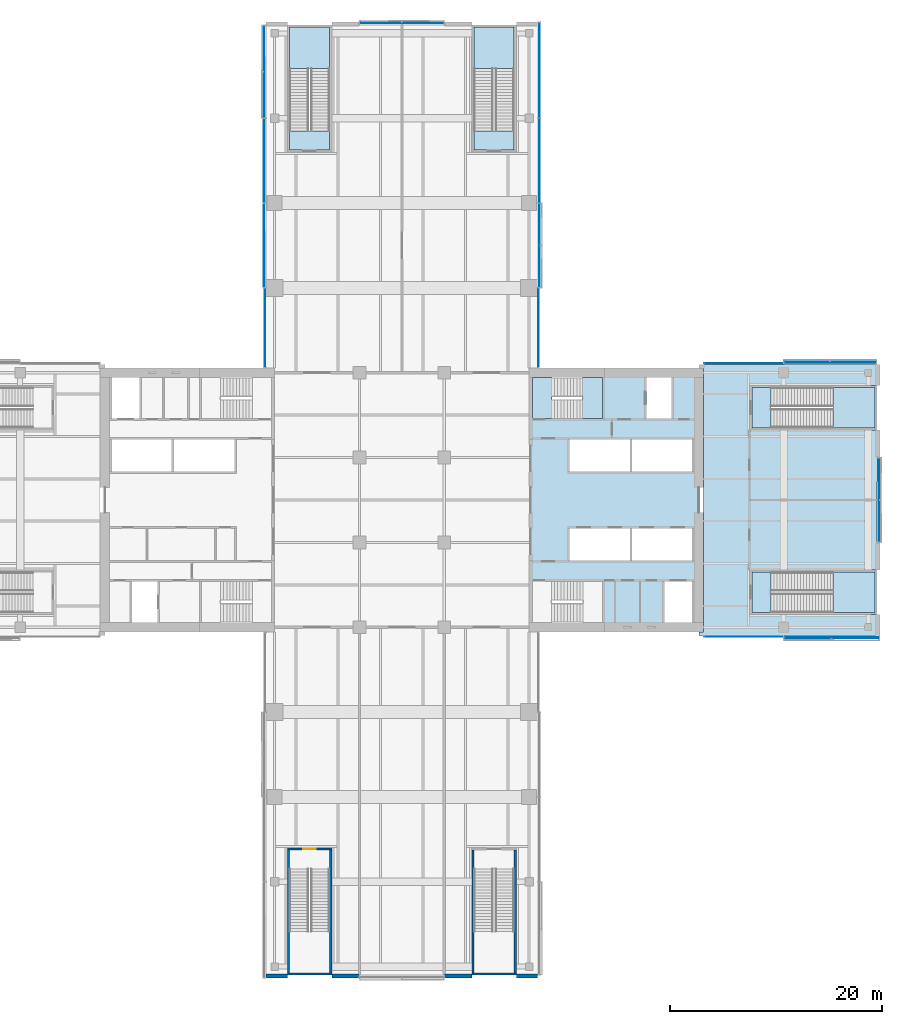
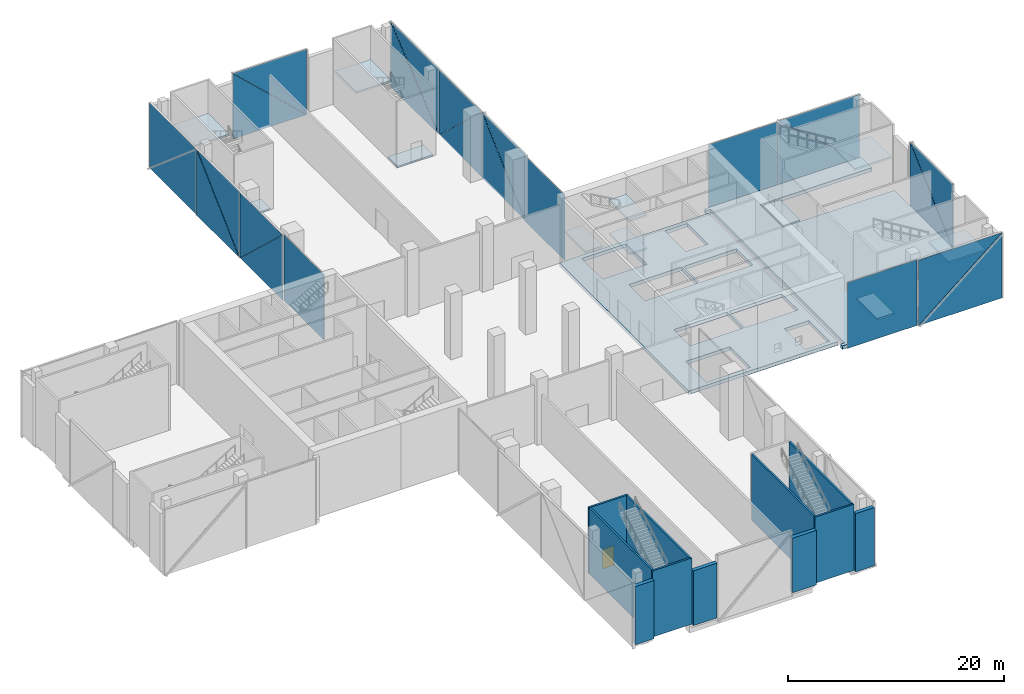
# One storey, part 13 of 25: 24 plates, 13 slabs, 11 walls, 1 door, 1 opening, 15 elements without a shape of their own.
"""IFC4 building model written with IfcOpenShell, lengths in metres."""

from ifc_helpers import new_model, si_unit, direction, frame, frame_2d, origin, place, context, subcontext, project, spatial, polyline, rectangle, outline, extrude, material, layer, layer_set, type_object, element, fill, aggregate, save


model = new_model("IFC4")

# Units and contexts
model_context = context("Model", 3, precision=1e-05, world=origin(), true_north=direction((0.0, 1.0)))
body_context = subcontext(model_context, "Body", "Model", "MODEL_VIEW")
ifc_project = project(units=[si_unit("LENGTHUNIT", "METRE"), si_unit("AREAUNIT", "SQUARE_METRE"), si_unit("VOLUMEUNIT", "CUBIC_METRE"), si_unit("PLANEANGLEUNIT", "RADIAN"), si_unit("MASSUNIT", "GRAM", prefix="KILO")], contexts=[model_context])

# Site, building, storey
site_placement = place(None, origin())
site = spatial("IfcSite", under=ifc_project, at=site_placement, CompositionType="ELEMENT")
building_placement = place(site_placement, origin())
building = spatial("IfcBuilding", under=site, at=building_placement, Name="Crosswind Convention Tower", CompositionType="ELEMENT")
storey_placement = place(building_placement, frame((0.0, 0.0, 17.5)))
storey = spatial("IfcBuildingStorey", under=building, at=storey_placement, Name="L02", CompositionType="ELEMENT", Elevation=17.5)

# Slabs
ifc_material_1 = material(Name="Concrete C40/50", Category="concrete")
ifc_layer_1 = layer(ifc_material_1, 0.39990234375)
ifc_layer_set_1 = layer_set([ifc_layer_1], Name="Concrete C40/50")
slab_type_1 = type_object("IfcSlabType", Name="Composite floor slab 400", PredefinedType="FLOOR", material=ifc_layer_set_1)
slab_1_placement = place(storey_placement, frame((0.0, 0.0, -0.39990234375)))
element("IfcSlab", 1, at=slab_1_placement, inside=storey, type_object=slab_type_1, Name="Floor slab L02 part 3", PredefinedType="FLOOR", context=body_context, shape_type="SweptSolid", body=[
    extrude(outline(polyline([(169.800048828125, 93.39990234375), (157.800048828125, 93.39990234375), (157.800048828125, 89.199951171875), (169.800048828125, 89.199951171875), (169.800048828125, 88.0), (169.800048828125, 87.199951171875), (169.0, 87.199951171875), (153.0, 87.199951171875), (153.0, 87.550048828125), (153.449951171875, 87.550048828125), (153.449951171875, 112.449951171875), (153.0, 112.449951171875), (153.0, 112.800048828125), (169.0, 112.800048828125), (169.800048828125, 112.800048828125), (169.800048828125, 112.0), (169.800048828125, 110.800048828125), (157.800048828125, 110.800048828125), (157.800048828125, 106.60009765625), (169.800048828125, 106.60009765625), (169.800048828125, 93.39990234375)])), origin(), (0.0, 0.0, 1.0), 0.39990234375),
])
ifc_layer_2 = layer(ifc_material_1, 0.39990234375)
ifc_layer_set_2 = layer_set([ifc_layer_2], Name="Concrete C40/50")
slab_type_2 = type_object("IfcSlabType", Name="Concrete core floor slab 400", PredefinedType="FLOOR", material=ifc_layer_set_2)
slab_2_placement = place(storey_placement, frame((0.0, 0.0, -0.39990234375)))
element("IfcSlab", 2, at=slab_2_placement, inside=storey, type_object=slab_type_2, Name="Core floor slab E L02", PredefinedType="FLOOR", context=body_context, shape_type="SweptSolid", body=[
    extrude(outline(polyline([(137.0, 88.0), (153.0, 88.0), (153.0, 112.0), (137.0, 112.0), (137.0, 88.0)]), holes=[polyline([(146.5, 102.699951171875), (146.5, 105.699951171875), (140.800048828125, 105.699951171875), (140.800048828125, 102.699951171875), (146.5, 102.699951171875)]), polyline([(152.35009765625, 102.699951171875), (152.35009765625, 105.699951171875), (146.699951171875, 105.699951171875), (146.699951171875, 102.699951171875), (152.35009765625, 102.699951171875)]), polyline([(146.5, 94.300048828125), (146.5, 97.300048828125), (140.800048828125, 97.300048828125), (140.800048828125, 94.300048828125), (146.5, 94.300048828125)]), polyline([(152.35009765625, 94.300048828125), (152.35009765625, 97.300048828125), (146.699951171875, 97.300048828125), (146.699951171875, 94.300048828125), (152.35009765625, 94.300048828125)]), polyline([(150.449951171875, 107.699951171875), (150.449951171875, 111.550048828125), (148.050048828125, 111.550048828125), (148.050048828125, 107.699951171875), (150.449951171875, 107.699951171875)]), polyline([(152.35009765625, 88.449951171875), (152.35009765625, 92.300048828125), (149.75, 92.300048828125), (149.75, 88.449951171875), (152.35009765625, 88.449951171875)]), polyline([(143.89990234375, 107.699951171875), (143.89990234375, 111.550048828125), (139.14990234375, 111.550048828125), (139.14990234375, 107.699951171875), (143.89990234375, 107.699951171875)]), polyline([(143.89990234375, 88.449951171875), (143.89990234375, 92.300048828125), (139.14990234375, 92.300048828125), (139.14990234375, 88.449951171875), (143.89990234375, 88.449951171875)])]), origin(), (0.0, 0.0, 1.0), 0.39990234375),
])

# Stair, slabs
stair_type_1 = type_object("IfcStairType", Name="PODIUM EXIT STAIR 7500 RISE", PredefinedType="HALF_TURN_STAIR", material=ifc_material_1)
stair_1_placement = place(storey_placement, origin())
stair_1 = element("IfcStair", 3, at=stair_1_placement, inside=storey, type_object=stair_type_1, Name="Exit stair E1 L02", ObjectType="ST11", PredefinedType="HALF_TURN_STAIR")
ifc_layer_3 = layer(ifc_material_1, 0.199951171875)
ifc_layer_set_3 = layer_set([ifc_layer_3], Name="Concrete C40/50")
slab_type_3 = type_object("IfcSlabType", Name="PODIUM STAIR LANDING 200 FOR 22 RISERS", PredefinedType="LANDING", material=ifc_layer_set_3)
slab_3_placement = place(storey_placement, frame((0.0, 0.0, 3.550048828125)))
slab_3 = element("IfcSlab", 4, at=slab_3_placement, type_object=slab_type_3, Name="ST11 landing 1", PredefinedType="LANDING", context=body_context, shape_type="SweptSolid", body=[
    extrude(outline(polyline([(165.679931640625, 89.39990234375), (169.60009765625, 89.39990234375), (169.60009765625, 93.199951171875), (165.679931640625, 93.199951171875), (165.679931640625, 89.39990234375)])), origin(), (0.0, 0.0, 1.0), 0.199951171875),
])
slab_4_placement = place(storey_placement, frame((0.0, 0.0, -0.199951171875)))
slab_4 = element("IfcSlab", 5, at=slab_4_placement, type_object=slab_type_3, Name="ST11 landing 2", PredefinedType="LANDING", context=body_context, shape_type="SweptSolid", body=[
    extrude(outline(polyline([(158.0, 89.39990234375), (159.800048828125, 89.39990234375), (159.800048828125, 93.199951171875), (158.0, 93.199951171875), (158.0, 89.39990234375)])), origin(), (0.0, 0.0, 1.0), 0.199951171875),
])
aggregate(stair_1, [slab_3, slab_4])

stair_2_placement = place(storey_placement, origin())
stair_2 = element("IfcStair", 6, at=stair_2_placement, inside=storey, type_object=stair_type_1, Name="Exit stair E2 L02", ObjectType="ST11", PredefinedType="HALF_TURN_STAIR")
slab_5_placement = place(storey_placement, frame((0.0, 0.0, 3.550048828125)))
slab_5 = element("IfcSlab", 7, at=slab_5_placement, type_object=slab_type_3, Name="ST11 landing 1", PredefinedType="LANDING", context=body_context, shape_type="SweptSolid", body=[
    extrude(outline(polyline([(165.679931640625, 106.800048828125), (169.60009765625, 106.800048828125), (169.60009765625, 110.60009765625), (165.679931640625, 110.60009765625), (165.679931640625, 106.800048828125)])), origin(), (0.0, 0.0, 1.0), 0.199951171875),
])
slab_6_placement = place(storey_placement, frame((0.0, 0.0, -0.199951171875)))
slab_6 = element("IfcSlab", 8, at=slab_6_placement, type_object=slab_type_3, Name="ST11 landing 2", PredefinedType="LANDING", context=body_context, shape_type="SweptSolid", body=[
    extrude(outline(polyline([(158.0, 106.800048828125), (159.800048828125, 106.800048828125), (159.800048828125, 110.60009765625), (158.0, 110.60009765625), (158.0, 106.800048828125)])), origin(), (0.0, 0.0, 1.0), 0.199951171875),
])
aggregate(stair_2, [slab_5, slab_6])

stair_3_placement = place(storey_placement, origin())
stair_3 = element("IfcStair", 9, at=stair_3_placement, inside=storey, type_object=stair_type_1, Name="Exit stair N1 L02", ObjectType="ST11", PredefinedType="HALF_TURN_STAIR")
slab_7_placement = place(storey_placement, frame((0.0, 0.0, 3.550048828125)))
slab_7 = element("IfcSlab", 10, at=slab_7_placement, type_object=slab_type_3, Name="ST11 landing 1", PredefinedType="LANDING", context=body_context, shape_type="SweptSolid", body=[
    extrude(outline(polyline([(118.199951171875, 140.679931640625), (118.199951171875, 144.60009765625), (114.39990234375, 144.60009765625), (114.39990234375, 140.679931640625), (118.199951171875, 140.679931640625)])), origin(), (0.0, 0.0, 1.0), 0.199951171875),
])
slab_8_placement = place(storey_placement, frame((0.0, 0.0, -0.199951171875)))
slab_8 = element("IfcSlab", 11, at=slab_8_placement, type_object=slab_type_3, Name="ST11 landing 2", PredefinedType="LANDING", context=body_context, shape_type="SweptSolid", body=[
    extrude(outline(polyline([(118.199951171875, 133.0), (118.199951171875, 134.800048828125), (114.39990234375, 134.800048828125), (114.39990234375, 133.0), (118.199951171875, 133.0)])), origin(), (0.0, 0.0, 1.0), 0.199951171875),
])
aggregate(stair_3, [slab_7, slab_8])

stair_4_placement = place(storey_placement, origin())
stair_4 = element("IfcStair", 12, at=stair_4_placement, inside=storey, type_object=stair_type_1, Name="Exit stair N2 L02", ObjectType="ST11", PredefinedType="HALF_TURN_STAIR")
slab_9_placement = place(storey_placement, frame((0.0, 0.0, 3.550048828125)))
slab_9 = element("IfcSlab", 13, at=slab_9_placement, type_object=slab_type_3, Name="ST11 landing 1", PredefinedType="LANDING", context=body_context, shape_type="SweptSolid", body=[
    extrude(outline(polyline([(135.60009765625, 140.679931640625), (135.60009765625, 144.60009765625), (131.800048828125, 144.60009765625), (131.800048828125, 140.679931640625), (135.60009765625, 140.679931640625)])), origin(), (0.0, 0.0, 1.0), 0.199951171875),
])
slab_10_placement = place(storey_placement, frame((0.0, 0.0, -0.199951171875)))
slab_10 = element("IfcSlab", 14, at=slab_10_placement, type_object=slab_type_3, Name="ST11 landing 2", PredefinedType="LANDING", context=body_context, shape_type="SweptSolid", body=[
    extrude(outline(polyline([(135.60009765625, 133.0), (135.60009765625, 134.800048828125), (131.800048828125, 134.800048828125), (131.800048828125, 133.0), (135.60009765625, 133.0)])), origin(), (0.0, 0.0, 1.0), 0.199951171875),
])
aggregate(stair_4, [slab_9, slab_10])

stair_type_2 = type_object("IfcStairType", Name="Exit stair 1800 wide, 4 flights of 11 risers", PredefinedType="HALF_TURN_STAIR", material=ifc_material_1)
stair_5_placement = place(storey_placement, origin())
stair_5 = element("IfcStair", 15, at=stair_5_placement, inside=storey, type_object=stair_type_2, Name="Exit stair ST1 L02", ObjectType="ST6", PredefinedType="HALF_TURN_STAIR")
ifc_layer_4 = layer(ifc_material_1, 0.199951171875)
ifc_layer_set_4 = layer_set([ifc_layer_4], Name="Concrete C40/50")
slab_type_4 = type_object("IfcSlabType", Name="Stair landing 200", PredefinedType="LANDING", material=ifc_layer_set_4)
slab_11_placement = place(storey_placement, frame((0.0, 0.0, 1.675048828125)))
slab_11 = element("IfcSlab", 16, at=slab_11_placement, type_object=slab_type_4, Name="ST1 landing 1", PredefinedType="LANDING", context=body_context, shape_type="SweptSolid", body=[
    extrude(outline(polyline([(143.89990234375, 107.699951171875), (143.89990234375, 111.550048828125), (142.050048828125, 111.550048828125), (142.050048828125, 107.699951171875), (143.89990234375, 107.699951171875)])), origin(), (0.0, 0.0, 1.0), 0.199951171875),
])
slab_12_placement = place(storey_placement, frame((0.0, 0.0, 3.550048828125)))
slab_12 = element("IfcSlab", 17, at=slab_12_placement, type_object=slab_type_4, Name="ST1 landing 2", PredefinedType="LANDING", context=body_context, shape_type="SweptSolid", body=[
    extrude(outline(polyline([(139.14990234375, 107.699951171875), (139.14990234375, 111.550048828125), (137.300048828125, 111.550048828125), (137.300048828125, 107.699951171875), (139.14990234375, 107.699951171875)])), origin(), (0.0, 0.0, 1.0), 0.199951171875),
])
slab_13_placement = place(storey_placement, frame((0.0, 0.0, 5.425048828125)))
slab_13 = element("IfcSlab", 18, at=slab_13_placement, type_object=slab_type_4, Name="ST1 landing 3", PredefinedType="LANDING", context=body_context, shape_type="SweptSolid", body=[
    extrude(outline(polyline([(143.89990234375, 107.699951171875), (143.89990234375, 111.550048828125), (142.050048828125, 111.550048828125), (142.050048828125, 107.699951171875), (143.89990234375, 107.699951171875)])), origin(), (0.0, 0.0, 1.0), 0.199951171875),
])
aggregate(stair_5, [slab_11, slab_12, slab_13])

# Curtain wall, plate
ifc_material_2 = material(Name="Aluminium unitised curtain wall", Category="aluminium")
curtain_wall_type_1 = type_object("IfcCurtainWallType", Name="CORE END SLOT WALL 160", PredefinedType="USERDEFINED", material=ifc_material_2)
curtain_wall_1_placement = place(storey_placement, origin())
curtain_wall_1 = element("IfcCurtainWall", 19, at=curtain_wall_1_placement, inside=storey, type_object=curtain_wall_type_1, Name="CW6 L02 E-N.1-2 slot", ObjectType="UNITISED", PredefinedType="USERDEFINED")
ifc_material_3 = material(Name="Laminated insulating glass unit", Category="glass")
ifc_layer_5 = layer(ifc_material_3, 0.02587890625)
ifc_layer_set_5 = layer_set([ifc_layer_5], Name="TRIANGULAR GLASS PANEL 26")
plate_type_1 = type_object("IfcPlateType", Name="TRIANGULAR GLASS PANEL 26", PredefinedType="CURTAIN_PANEL", material=ifc_layer_set_5)
plate_1_placement = place(storey_placement, frame((160.949951171875, 112.907470703125, -0.39990234375), z_axis=(0.0, 0.999999922678, 0.000393249191), x_axis=(-1.0, 0.0, 0.0)))
plate_1 = element("IfcPlate", 20, at=plate_1_placement, type_object=plate_type_1, Name="CW6 panel 1.1", PredefinedType="CURTAIN_PANEL", context=body_context, shape_type="SweptSolid", body=[
    extrude(outline(polyline([(0.0, 0.0), (7.449951171875, 0.0), (7.449951171875, 7.449951747923642), (0.0, 7.449951747923642), (0.0, 0.0)])), origin(), (0.0, 0.0, -1.0), 0.02587890625),
])
aggregate(curtain_wall_1, [plate_1])

curtain_wall_2_placement = place(storey_placement, origin())
curtain_wall_2 = element("IfcCurtainWall", 21, at=curtain_wall_2_placement, inside=storey, type_object=curtain_wall_type_1, Name="CW6 L02 N-E.1-1 slot", ObjectType="UNITISED", PredefinedType="USERDEFINED")
plate_2_placement = place(storey_placement, frame((137.907470703125, 112.5, -0.39990234375), z_axis=(0.999999922678, 0.0, 0.000393249191), x_axis=(0.0, 1.0, 0.0)))
plate_2 = element("IfcPlate", 22, at=plate_2_placement, type_object=plate_type_1, Name="CW6 panel 1.1", PredefinedType="CURTAIN_PANEL", context=body_context, shape_type="SweptSolid", body=[
    extrude(outline(polyline([(0.0, 0.0), (7.449951171875, 0.0), (7.449951171875, 7.449951747923642), (0.0, 7.449951747923642), (0.0, 0.0)])), origin(), (0.0, 0.0, -1.0), 0.02587890625),
])
aggregate(curtain_wall_2, [plate_2])

curtain_wall_3_placement = place(storey_placement, origin())
curtain_wall_3 = element("IfcCurtainWall", 23, at=curtain_wall_3_placement, inside=storey, type_object=curtain_wall_type_1, Name="CW6 L02 N-W.1-4 slot", ObjectType="UNITISED", PredefinedType="USERDEFINED")
plate_3_placement = place(storey_placement, frame((112.092529296875, 119.949951171875, -0.39990234375), z_axis=(-0.999999922678, 0.0, 0.000393249191), x_axis=(0.0, -1.0, 0.0)))
plate_3 = element("IfcPlate", 24, at=plate_3_placement, type_object=plate_type_1, Name="CW6 panel 1.1", PredefinedType="CURTAIN_PANEL", context=body_context, shape_type="SweptSolid", body=[
    extrude(outline(polyline([(0.0, 0.0), (7.449951171875, 0.0), (7.449951171875, 7.449951747923642), (0.0, 7.449951747923642), (0.0, 0.0)])), origin(), (0.0, 0.0, -1.0), 0.02587890625),
])
aggregate(curtain_wall_3, [plate_3])

curtain_wall_4_placement = place(storey_placement, origin())
curtain_wall_4 = element("IfcCurtainWall", 25, at=curtain_wall_4_placement, inside=storey, type_object=curtain_wall_type_1, Name="CW6 L02 E-S.2-1 slot", ObjectType="UNITISED", PredefinedType="USERDEFINED")
plate_4_placement = place(storey_placement, frame((153.5, 87.092529296875, -0.39990234375), z_axis=(0.0, -0.999999922678, 0.000393249191), x_axis=(1.0, 0.0, 0.0)))
plate_4 = element("IfcPlate", 26, at=plate_4_placement, type_object=plate_type_1, Name="CW6 panel 1.1", PredefinedType="CURTAIN_PANEL", context=body_context, shape_type="SweptSolid", body=[
    extrude(outline(polyline([(0.0, 0.0), (7.449951171875, 0.0), (7.449951171875, 7.449951747923642), (0.0, 7.449951747923642), (0.0, 0.0)])), origin(), (0.0, 0.0, -1.0), 0.02587890625),
])
aggregate(curtain_wall_4, [plate_4])

# Curtain wall, plates
curtain_wall_type_2 = type_object("IfcCurtainWallType", Name="PODIUM UNITISED WALL 300", PredefinedType="USERDEFINED", material=ifc_material_2)
curtain_wall_5_placement = place(storey_placement, origin())
curtain_wall_5 = element("IfcCurtainWall", 27, at=curtain_wall_5_placement, inside=storey, type_object=curtain_wall_type_2, Name="CW1 L02 E-TIP 1", ObjectType="UNITISED", PredefinedType="USERDEFINED")
ifc_layer_6 = layer(ifc_material_3, 0.035888671875)
ifc_layer_set_6 = layer_set([ifc_layer_6], Name="TRIANGULAR GLASS PANEL 36")
plate_type_2 = type_object("IfcPlateType", Name="TRIANGULAR GLASS PANEL 36", PredefinedType="CURTAIN_PANEL", material=ifc_layer_set_6)
plate_5_placement = place(storey_placement, frame((169.987548828125, 103.9599609375, -0.39990234375), z_axis=(0.999999921762, 0.0, 0.000395569589), x_axis=(-0.000395569589, 0.0, 0.999999921762)))
plate_5 = element("IfcPlate", 28, at=plate_5_placement, type_object=plate_type_2, Name="CW1 panel 1.1", PredefinedType="CURTAIN_PANEL", context=body_context, shape_type="SweptSolid", body=[
    extrude(outline(polyline([(0.0, 0.0), (7.406250579447663, 0.0), (0.0, 7.9052734375), (0.0, 0.0)])), origin(), (0.0, 0.0, -1.0), 0.035888671875),
])
plate_6_placement = place(storey_placement, frame((170.0224609375, 96.0400390625, 7.02001953125), z_axis=(0.999999921762, 0.0, 0.000395569589), x_axis=(0.000395569589, 0.0, -0.999999921762)))
plate_6 = element("IfcPlate", 29, at=plate_6_placement, type_object=plate_type_2, Name="CW1 panel 1.2", PredefinedType="CURTAIN_PANEL", context=body_context, shape_type="SweptSolid", body=[
    extrude(outline(polyline([(0.0, 0.0), (7.406250579447663, 0.0), (0.0, 7.9052734375), (0.0, 0.0)])), origin(), (0.0, 0.0, -1.0), 0.035888671875),
])
aggregate(curtain_wall_5, [plate_5, plate_6])

curtain_wall_6_placement = place(storey_placement, origin())
curtain_wall_6 = element("IfcCurtainWall", 30, at=curtain_wall_6_placement, inside=storey, type_object=curtain_wall_type_2, Name="CW1 L02 E-N 1", ObjectType="UNITISED", PredefinedType="USERDEFINED")
plate_7_placement = place(storey_placement, frame((161.0400390625, 112.987548828125, -0.39990234375), z_axis=(0.0, 0.999999921773, 0.000395543512), x_axis=(0.0, -0.000395543512, 0.999999921773)))
plate_7 = element("IfcPlate", 31, at=plate_7_placement, type_object=plate_type_2, Name="CW1 panel 1.1", PredefinedType="CURTAIN_PANEL", context=body_context, shape_type="SweptSolid", body=[
    extrude(outline(polyline([(0.0, 0.0), (7.406738860659464, 0.0), (0.0, 8.66455078125), (0.0, 0.0)])), origin(), (0.0, 0.0, -1.0), 0.035888671875),
])
plate_8_placement = place(storey_placement, frame((169.719970703125, 113.0224609375, 7.02001953125), z_axis=(0.0, 0.999999921778, 0.000395530474), x_axis=(0.0, 0.000395530474, -0.999999921778)))
plate_8 = element("IfcPlate", 32, at=plate_8_placement, type_object=plate_type_2, Name="CW1 panel 1.2", PredefinedType="CURTAIN_PANEL", context=body_context, shape_type="SweptSolid", body=[
    extrude(outline(polyline([(0.0, 0.0), (7.406983001265367, 0.0), (0.0, 8.664550781250002), (0.0, 0.0)])), origin(), (0.0, 0.0, -1.0), 0.035888671875),
])
aggregate(curtain_wall_6, [plate_7, plate_8])

curtain_wall_7_placement = place(storey_placement, origin())
curtain_wall_7 = element("IfcCurtainWall", 33, at=curtain_wall_7_placement, inside=storey, type_object=curtain_wall_type_2, Name="CW1 L02 N-E 1", ObjectType="UNITISED", PredefinedType="USERDEFINED")
plate_9_placement = place(storey_placement, frame((137.987548828125, 127.9599609375, -0.39990234375), z_axis=(0.999999921762, 0.0, 0.000395569589), x_axis=(-0.000395569589, 0.0, 0.999999921762)))
plate_9 = element("IfcPlate", 34, at=plate_9_placement, type_object=plate_type_2, Name="CW1 panel 1.1", PredefinedType="CURTAIN_PANEL", context=body_context, shape_type="SweptSolid", body=[
    extrude(outline(polyline([(0.0, 0.0), (7.406250579447663, 0.0), (0.0, 7.9052734375), (0.0, 0.0)])), origin(), (0.0, 0.0, -1.0), 0.035888671875),
])
plate_10_placement = place(storey_placement, frame((138.0224609375, 120.0400390625, 7.02001953125), z_axis=(0.999999921762, 0.0, 0.000395569589), x_axis=(0.000395569589, 0.0, -0.999999921762)))
plate_10 = element("IfcPlate", 35, at=plate_10_placement, type_object=plate_type_2, Name="CW1 panel 1.2", PredefinedType="CURTAIN_PANEL", context=body_context, shape_type="SweptSolid", body=[
    extrude(outline(polyline([(0.0, 0.0), (7.406250579447663, 0.0), (0.0, 7.9052734375), (0.0, 0.0)])), origin(), (0.0, 0.0, -1.0), 0.035888671875),
])
plate_11_placement = place(storey_placement, frame((137.984619140625, 135.9599609375, 7.02001953125), z_axis=(0.999999921762, 0.0, 0.000395569589), x_axis=(0.0, -1.0, 0.0)))
plate_11 = element("IfcPlate", 36, at=plate_11_placement, type_object=plate_type_2, Name="CW1 panel 2.1", PredefinedType="CURTAIN_PANEL", context=body_context, shape_type="SweptSolid", body=[
    extrude(outline(polyline([(0.0, 0.0), (7.9052734375, 0.0), (0.0, 7.406250579447663), (0.0, 0.0)])), origin(), (0.0, 0.0, -1.0), 0.035888671875),
])
plate_12_placement = place(storey_placement, frame((138.025390625, 128.0400390625, -0.39990234375), z_axis=(0.999999921762, 0.0, 0.000395569589), x_axis=(0.0, 1.0, 0.0)))
plate_12 = element("IfcPlate", 37, at=plate_12_placement, type_object=plate_type_2, Name="CW1 panel 2.2", PredefinedType="CURTAIN_PANEL", context=body_context, shape_type="SweptSolid", body=[
    extrude(outline(polyline([(0.0, 0.0), (7.9052734375, 0.0), (0.0, 7.406250579447663), (0.0, 0.0)])), origin(), (0.0, 0.0, -1.0), 0.035888671875),
])
plate_13_placement = place(storey_placement, frame((137.987548828125, 145.0048828125, -0.39990234375), z_axis=(0.999999921778, 0.0, 0.000395530474), x_axis=(-0.000395530474, 0.0, 0.999999921778)))
plate_13 = element("IfcPlate", 38, at=plate_13_placement, type_object=plate_type_2, Name="CW1 panel 3.1", PredefinedType="CURTAIN_PANEL", context=body_context, shape_type="SweptSolid", body=[
    extrude(outline(polyline([(0.0, 0.0), (7.406983001265367, 0.0), (0.0, 8.94921875), (0.0, 0.0)])), origin(), (0.0, 0.0, -1.0), 0.035888671875),
])
plate_14_placement = place(storey_placement, frame((138.0224609375, 136.0400390625, 7.02001953125), z_axis=(0.999999921778, 0.0, 0.000395530474), x_axis=(0.000395530474, 0.0, -0.999999921778)))
plate_14 = element("IfcPlate", 39, at=plate_14_placement, type_object=plate_type_2, Name="CW1 panel 3.2", PredefinedType="CURTAIN_PANEL", context=body_context, shape_type="SweptSolid", body=[
    extrude(outline(polyline([(0.0, 0.0), (7.406983001265367, 0.0), (0.0, 8.94921875), (0.0, 0.0)])), origin(), (0.0, 0.0, -1.0), 0.035888671875),
])
aggregate(curtain_wall_7, [plate_9, plate_10, plate_11, plate_12, plate_13, plate_14])

curtain_wall_8_placement = place(storey_placement, origin())
curtain_wall_8 = element("IfcCurtainWall", 40, at=curtain_wall_8_placement, inside=storey, type_object=curtain_wall_type_2, Name="CW1 L02 N-TIP 1", ObjectType="UNITISED", PredefinedType="USERDEFINED")
plate_15_placement = place(storey_placement, frame((121.0400390625, 144.987548828125, -0.39990234375), z_axis=(0.0, 0.999999921762, 0.000395569589), x_axis=(0.0, -0.000395569589, 0.999999921762)))
plate_15 = element("IfcPlate", 41, at=plate_15_placement, type_object=plate_type_2, Name="CW1 panel 1.1", PredefinedType="CURTAIN_PANEL", context=body_context, shape_type="SweptSolid", body=[
    extrude(outline(polyline([(0.0, 0.0), (7.406250579447663, 0.0), (0.0, 7.9052734375), (0.0, 0.0)])), origin(), (0.0, 0.0, -1.0), 0.035888671875),
])
plate_16_placement = place(storey_placement, frame((128.9599609375, 145.0224609375, 7.02001953125), z_axis=(0.0, 0.999999921762, 0.000395569589), x_axis=(0.0, 0.000395569589, -0.999999921762)))
plate_16 = element("IfcPlate", 42, at=plate_16_placement, type_object=plate_type_2, Name="CW1 panel 1.2", PredefinedType="CURTAIN_PANEL", context=body_context, shape_type="SweptSolid", body=[
    extrude(outline(polyline([(0.0, 0.0), (7.406250579447663, 0.0), (0.0, 7.9052734375), (0.0, 0.0)])), origin(), (0.0, 0.0, -1.0), 0.035888671875),
])
aggregate(curtain_wall_8, [plate_15, plate_16])

curtain_wall_9_placement = place(storey_placement, origin())
curtain_wall_9 = element("IfcCurtainWall", 43, at=curtain_wall_9_placement, inside=storey, type_object=curtain_wall_type_2, Name="CW1 L02 N-W 1", ObjectType="UNITISED", PredefinedType="USERDEFINED")
plate_17_placement = place(storey_placement, frame((112.012451171875, 136.0400390625, -0.39990234375), z_axis=(-0.999999921773, 0.0, 0.000395543512), x_axis=(0.000395543512, 0.0, 0.999999921773)))
plate_17 = element("IfcPlate", 44, at=plate_17_placement, type_object=plate_type_2, Name="CW1 panel 1.1", PredefinedType="CURTAIN_PANEL", context=body_context, shape_type="SweptSolid", body=[
    extrude(outline(polyline([(0.0, 0.0), (7.406738860659464, 0.0), (0.0, 8.66455078125), (0.0, 0.0)])), origin(), (0.0, 0.0, -1.0), 0.035888671875),
])
plate_18_placement = place(storey_placement, frame((111.9775390625, 144.719970703125, 7.02001953125), z_axis=(-0.999999921778, 0.0, 0.000395530474), x_axis=(-0.000395530474, 0.0, -0.999999921778)))
plate_18 = element("IfcPlate", 45, at=plate_18_placement, type_object=plate_type_2, Name="CW1 panel 1.2", PredefinedType="CURTAIN_PANEL", context=body_context, shape_type="SweptSolid", body=[
    extrude(outline(polyline([(0.0, 0.0), (7.406983001265367, 0.0), (0.0, 8.664550781250002), (0.0, 0.0)])), origin(), (0.0, 0.0, -1.0), 0.035888671875),
])
plate_19_placement = place(storey_placement, frame((112.015380859375, 128.0400390625, 7.02001953125), z_axis=(-0.999999921762, 0.0, 0.000395569589), x_axis=(0.0, 1.0, 0.0)))
plate_19 = element("IfcPlate", 46, at=plate_19_placement, type_object=plate_type_2, Name="CW1 panel 2.1", PredefinedType="CURTAIN_PANEL", context=body_context, shape_type="SweptSolid", body=[
    extrude(outline(polyline([(0.0, 0.0), (7.9052734375, 0.0), (0.0, 7.406250579447663), (0.0, 0.0)])), origin(), (0.0, 0.0, -1.0), 0.035888671875),
])
plate_20_placement = place(storey_placement, frame((111.974609375, 135.9599609375, -0.39990234375), z_axis=(-0.999999921762, 0.0, 0.000395569589), x_axis=(0.0, -1.0, 0.0)))
plate_20 = element("IfcPlate", 47, at=plate_20_placement, type_object=plate_type_2, Name="CW1 panel 2.2", PredefinedType="CURTAIN_PANEL", context=body_context, shape_type="SweptSolid", body=[
    extrude(outline(polyline([(0.0, 0.0), (7.9052734375, 0.0), (0.0, 7.406250579447663), (0.0, 0.0)])), origin(), (0.0, 0.0, -1.0), 0.035888671875),
])
plate_21_placement = place(storey_placement, frame((112.012451171875, 120.0400390625, -0.39990234375), z_axis=(-0.999999921762, 0.0, 0.000395569589), x_axis=(0.000395569589, 0.0, 0.999999921762)))
plate_21 = element("IfcPlate", 48, at=plate_21_placement, type_object=plate_type_2, Name="CW1 panel 3.1", PredefinedType="CURTAIN_PANEL", context=body_context, shape_type="SweptSolid", body=[
    extrude(outline(polyline([(0.0, 0.0), (7.406250579447663, 0.0), (0.0, 7.9052734375), (0.0, 0.0)])), origin(), (0.0, 0.0, -1.0), 0.035888671875),
])
plate_22_placement = place(storey_placement, frame((111.9775390625, 127.9599609375, 7.02001953125), z_axis=(-0.999999921762, 0.0, 0.000395569589), x_axis=(-0.000395569589, 0.0, -0.999999921762)))
plate_22 = element("IfcPlate", 49, at=plate_22_placement, type_object=plate_type_2, Name="CW1 panel 3.2", PredefinedType="CURTAIN_PANEL", context=body_context, shape_type="SweptSolid", body=[
    extrude(outline(polyline([(0.0, 0.0), (7.406250579447663, 0.0), (0.0, 7.9052734375), (0.0, 0.0)])), origin(), (0.0, 0.0, -1.0), 0.035888671875),
])
aggregate(curtain_wall_9, [plate_17, plate_18, plate_19, plate_20, plate_21, plate_22])

curtain_wall_10_placement = place(storey_placement, origin())
curtain_wall_10 = element("IfcCurtainWall", 50, at=curtain_wall_10_placement, inside=storey, type_object=curtain_wall_type_2, Name="CW1 L02 E-S 2", ObjectType="UNITISED", PredefinedType="USERDEFINED")
plate_23_placement = place(storey_placement, frame((170.0048828125, 87.012451171875, -0.39990234375), z_axis=(0.0, -0.999999921778, 0.000395530474), x_axis=(0.0, 0.000395530474, 0.999999921778)))
plate_23 = element("IfcPlate", 51, at=plate_23_placement, type_object=plate_type_2, Name="CW1 panel 1.1", PredefinedType="CURTAIN_PANEL", context=body_context, shape_type="SweptSolid", body=[
    extrude(outline(polyline([(0.0, 0.0), (7.406983001265367, 0.0), (0.0, 8.94921875), (0.0, 0.0)])), origin(), (0.0, 0.0, -1.0), 0.035888671875),
])
plate_24_placement = place(storey_placement, frame((161.0400390625, 86.9775390625, 7.02001953125), z_axis=(0.0, -0.999999921778, 0.000395530474), x_axis=(0.0, -0.000395530474, -0.999999921778)))
plate_24 = element("IfcPlate", 52, at=plate_24_placement, type_object=plate_type_2, Name="CW1 panel 1.2", PredefinedType="CURTAIN_PANEL", context=body_context, shape_type="SweptSolid", body=[
    extrude(outline(polyline([(0.0, 0.0), (7.406983001265367, 0.0), (0.0, 8.94921875), (0.0, 0.0)])), origin(), (0.0, 0.0, -1.0), 0.035888671875),
])
aggregate(curtain_wall_10, [plate_23, plate_24])

# Walls
ifc_layer_7 = layer(ifc_material_1, 0.199951171875)
ifc_layer_set_7 = layer_set([ifc_layer_7], Name="Concrete C40/50")
wall_type_1 = type_object("IfcWallType", Name="STAIR ENCLOSURE WALL 200", PredefinedType="SOLIDWALL", material=ifc_layer_set_7)
for number, where, z_axis, x_axis, name in (
    (53, (114.199951171875, 55.300048828125, 0.0), (0.0, 0.0, 1.0), (1.0, 0.0, 0.0), "Stair Enclosure Wall 1"),
    (54, (131.60009765625, 55.300048828125, 0.0), (0.0, 0.0, 1.0), (1.0, 0.0, 0.0), "Stair Enclosure Wall 2"),
):
    element("IfcWall", number, at=place(storey_placement, frame(where, z_axis=z_axis, x_axis=x_axis)), inside=storey, type_object=wall_type_1, Name=name, PredefinedType="SOLIDWALL", context=body_context, shape_type="SweptSolid", body=[
        extrude(rectangle(XDim=4.199951171875, YDim=0.199951171875, at=frame_2d((2.10009765625, 0.0))), origin(), (0.0, 0.0, 1.0), 7.5),
    ])

# Wall, opening, door
wall_1_placement = place(storey_placement, frame((114.199951171875, 67.10009765625, 0.0), z_axis=(0.0, 0.0, 1.0), x_axis=(1.0, 0.0, 0.0)))
wall_1 = element("IfcWall", 55, at=wall_1_placement, inside=storey, type_object=wall_type_1, Name="Stair Enclosure Wall 3", PredefinedType="SOLIDWALL", context=body_context, shape_type="SweptSolid", body=[
    extrude(rectangle(XDim=4.199951171875, YDim=0.199951171875, at=frame_2d((2.10009765625, 0.0))), origin(), (0.0, 0.0, 1.0), 7.5),
])
opening_placement = place(wall_1_placement, frame((1.5, 0.0, 0.0)))
opening = element("IfcOpeningElement", 56, at=opening_placement, cuts=wall_1, Name="Opening 02.013", PredefinedType="OPENING", context=body_context, shape_type="SweptSolid", body=[
    extrude(rectangle(XDim=1.199951171875, YDim=2.199951171875, at=frame_2d((0.60009765625, 1.10009765625))), frame((0.0, 0.10986328125, 0.0), z_axis=(0.0, -1.0, 0.0), x_axis=(1.0, 0.0, 0.0)), (0.0, 0.0, 1.0), 0.219970703125),
])
ifc_material_4 = material(Name="Steel fire door", Category="steel")
door_type = type_object("IfcDoorType", Name="STAIR DOOR 1200X2200", OperationType="NOTDEFINED", PredefinedType="DOOR", material=ifc_material_4)
door_placement = place(opening_placement, frame((1.199951171875, 0.0, 0.0), z_axis=(0.0, 0.0, 1.0), x_axis=(-1.0, 0.0, 0.0)))
door = element("IfcDoor", 57, at=door_placement, inside=storey, type_object=door_type, Name="Door 02.013", ObjectType="D4", OperationType="SINGLE_SWING_LEFT", OverallHeight=2.199951171875, OverallWidth=1.199951171875, PredefinedType="DOOR", context=body_context, shape_type="SweptSolid", body=[
    extrude(rectangle(XDim=1.199951171875, YDim=2.199951171875, at=frame_2d((0.60009765625, 1.10009765625))), frame((0.0, 0.02490234375, 0.0), z_axis=(0.0, -1.0, 0.0), x_axis=(1.0, 0.0, 0.0)), (0.0, 0.0, 1.0), 0.050048828125),
])
fill(opening, door)

# Walls
for number, where, z_axis, x_axis, name in (
    (58, (114.300048828125, 55.39990234375, 0.0), (0.0, 0.0, 1.0), (0.0, 1.0, 0.0), "Stair Enclosure Wall 28"),
    (59, (118.300048828125, 55.39990234375, 0.0), (0.0, 0.0, 1.0), (0.0, 1.0, 0.0), "Stair Enclosure Wall 30"),
    (60, (131.699951171875, 55.39990234375, 0.0), (0.0, 0.0, 1.0), (0.0, 1.0, 0.0), "Stair Enclosure Wall 35"),
    (61, (135.699951171875, 55.39990234375, 0.0), (0.0, 0.0, 1.0), (0.0, 1.0, 0.0), "Stair Enclosure Wall 37"),
):
    element("IfcWall", number, at=place(storey_placement, frame(where, z_axis=z_axis, x_axis=x_axis)), inside=storey, type_object=wall_type_1, Name=name, PredefinedType="SOLIDWALL", context=body_context, shape_type="SweptSolid", body=[
        extrude(rectangle(XDim=11.60009765625, YDim=0.199951171875, at=frame_2d((5.800048828125, 0.0))), origin(), (0.0, 0.0, 1.0), 7.5),
    ])
ifc_material_5 = material(Name="Terracotta rainscreen", Category="ceramic")
ifc_layer_8 = layer(ifc_material_5, 0.02001953125)
ifc_material_6 = material(Name="Mineral wool insulation", Category="insulation")
ifc_layer_9 = layer(ifc_material_6, 0.10009765625)
ifc_material_7 = material(Name="Concrete blockwork", Category="masonry")
ifc_layer_10 = layer(ifc_material_7, 0.280029296875)
ifc_layer_set_8 = layer_set([ifc_layer_8, ifc_layer_9, ifc_layer_10], Name="TERRACOTTA INFILL WALL 400")
wall_type_2 = type_object("IfcWallType", Name="TERRACOTTA INFILL WALL 400", PredefinedType="SOLIDWALL", material=ifc_layer_set_8)
wall_2_placement = place(storey_placement, frame((112.199951171875, 55.114990234375, 0.0), z_axis=(0.0, 0.0, 1.0), x_axis=(1.0, 0.0, 0.0)))
element("IfcWall", 62, at=wall_2_placement, inside=storey, type_object=wall_type_2, Name="Stair enclosure side wall L02 S-TIP.1-1.1", PredefinedType="SOLIDWALL", context=body_context, shape_type="SweptSolid", body=[
    extrude(rectangle(XDim=2.0, YDim=0.39990234375, at=frame_2d((1.0, 0.0))), origin(), (0.0, 0.0, 1.0), 6.60009765625),
])
for number, where, z_axis, x_axis, name in (
    (63, (118.39990234375, 55.114990234375, 0.0), (0.0, 0.0, 1.0), (1.0, 0.0, 0.0), "Stair enclosure side wall L02 S-TIP.1-1.2"),
    (64, (129.0400390625, 55.114990234375, 0.0), (0.0, 0.0, 1.0), (1.0, 0.0, 0.0), "Stair enclosure side wall L02 S-TIP.1-3.1"),
):
    element("IfcWall", number, at=place(storey_placement, frame(where, z_axis=z_axis, x_axis=x_axis)), inside=storey, type_object=wall_type_2, Name=name, PredefinedType="SOLIDWALL", context=body_context, shape_type="SweptSolid", body=[
        extrude(rectangle(XDim=2.56005859375, YDim=0.39990234375, at=frame_2d((1.280029296875, 0.0))), origin(), (0.0, 0.0, 1.0), 6.199951171875),
    ])
wall_3_placement = place(storey_placement, frame((135.800048828125, 55.114990234375, 0.0), z_axis=(0.0, 0.0, 1.0), x_axis=(1.0, 0.0, 0.0)))
element("IfcWall", 65, at=wall_3_placement, inside=storey, type_object=wall_type_2, Name="Stair enclosure side wall L02 S-TIP.1-3.2", PredefinedType="SOLIDWALL", context=body_context, shape_type="SweptSolid", body=[
    extrude(rectangle(XDim=2.0, YDim=0.39990234375, at=frame_2d((1.0, 0.0))), origin(), (0.0, 0.0, 1.0), 6.60009765625),
])

save(model, "model.ifc")
